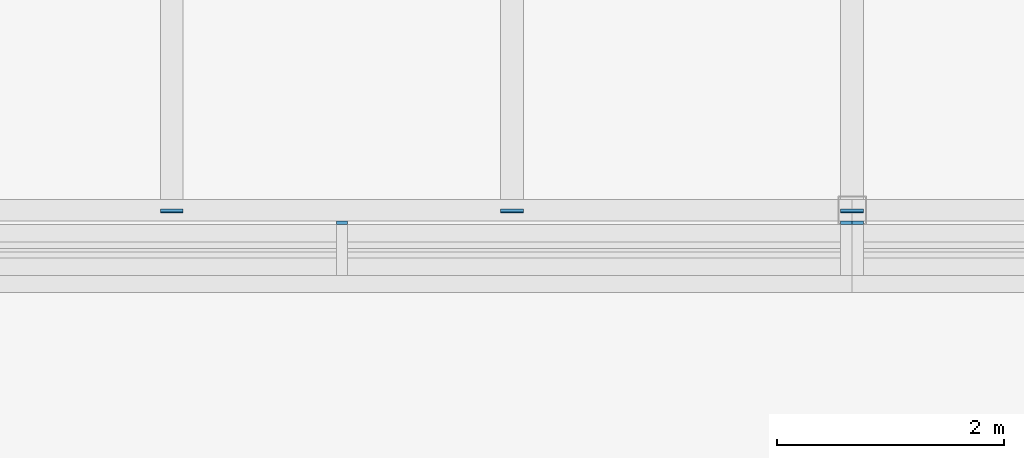
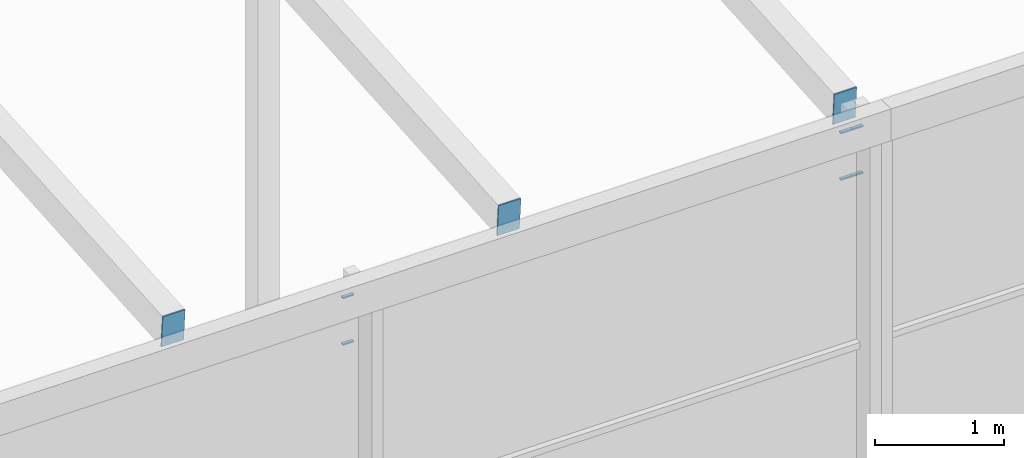
# One storey, part 60 of 84: 9 discrete accessories.
"""IFC4 building model written with IfcOpenShell, lengths in metres."""

from ifc_helpers import new_model, si_unit, direction, frame, origin, origin_2d, place, context, subcontext, project, spatial, rectangle, extrude, material, layer, layer_set, type_object, element, save


model = new_model("IFC4")

# Units and contexts
model_context = context("Model", 3, precision=1e-05, world=origin(), true_north=direction((0.0, 1.0)))
body_context = subcontext(model_context, "Body", "Model", "MODEL_VIEW")
ifc_project = project(units=[si_unit("LENGTHUNIT", "METRE"), si_unit("AREAUNIT", "SQUARE_METRE"), si_unit("VOLUMEUNIT", "CUBIC_METRE"), si_unit("PLANEANGLEUNIT", "RADIAN"), si_unit("MASSUNIT", "GRAM", prefix="KILO")], contexts=[model_context])

# Site, building, storey
site_placement = place(None, origin())
site = spatial("IfcSite", under=ifc_project, at=site_placement, CompositionType="ELEMENT")
building_placement = place(site_placement, origin())
building = spatial("IfcBuilding", under=site, at=building_placement, Name="Silverbay Arena", CompositionType="ELEMENT")
storey_placement = place(building_placement, frame((0.0, 0.0, 47.10009765625)))
storey = spatial("IfcBuildingStorey", under=building, at=storey_placement, Name="ROOF", CompositionType="ELEMENT", Elevation=47.10009765625)

# Discrete accessories
ifc_material_1 = material(Name="Steel S355", Category="steel")
ifc_layer = layer(ifc_material_1, 0.011962890625)
ifc_layer_set = layer_set([ifc_layer], Name="Steel S355")
discrete_accessory_type_1 = type_object("IfcDiscreteAccessoryType", Name="Purlin end plate 12", PredefinedType="USERDEFINED", material=ifc_layer_set)
for number, where, z_axis, x_axis, name in (
    (1, (93.0, 27.0, 8.74951171875), (0.0, -0.996684615823, -0.081362009455), (1.0, 0.0, 0.0), "Purlin end plate"),
    (2, (96.0, 27.0, 8.74951171875), (0.0, -0.996684615823, -0.081362009455), (1.0, 0.0, 0.0), "Purlin end plate"),
    (3, (99.0, 27.0, 8.74951171875), (0.0, -0.996684615823, -0.081362009455), (1.0, 0.0, 0.0), "Purlin end plate"),
):
    element("IfcDiscreteAccessory", number, at=place(storey_placement, frame(where, z_axis=z_axis, x_axis=x_axis)), inside=storey, type_object=discrete_accessory_type_1, Name=name, ObjectType="END PLATE", PredefinedType="USERDEFINED", context=body_context, shape_type="SweptSolid", body=[
        extrude(rectangle(XDim=0.199951171875, YDim=0.300048828125, at=origin_2d()), origin(), (0.0, 0.0, 1.0), 0.011962890625),
    ])
ifc_material_2 = material(Name="Steel S355", Category="steel")
discrete_accessory_type_2 = type_object("IfcDiscreteAccessoryType", Name="Steel bracket plate", PredefinedType="BRACKET", material=ifc_material_2)
for number, where, z_axis, x_axis, name in (
    (4, (94.5, 26.89013671875, 8.58642578125), (0.0, 0.0, 1.0), (1.0, 0.0, 0.0), "Curtain wall packing plate"),
    (5, (94.5, 26.89013671875, 8.145751953125), (0.0, 0.0, 1.0), (1.0, 0.0, 0.0), "Curtain wall packing plate"),
    (6, (98.949951171875, 26.89013671875, 8.58642578125), (0.0, 0.0, 1.0), (1.0, 0.0, 0.0), "Curtain wall packing plate"),
    (7, (98.949951171875, 26.89013671875, 8.145751953125), (0.0, 0.0, 1.0), (1.0, 0.0, 0.0), "Curtain wall packing plate"),
    (8, (99.050048828125, 26.89013671875, 8.58642578125), (0.0, 0.0, 1.0), (1.0, 0.0, 0.0), "Curtain wall packing plate"),
    (9, (99.050048828125, 26.89013671875, 8.145751953125), (0.0, 0.0, 1.0), (1.0, 0.0, 0.0), "Curtain wall packing plate"),
):
    element("IfcDiscreteAccessory", number, at=place(storey_placement, frame(where, z_axis=z_axis, x_axis=x_axis)), inside=storey, type_object=discrete_accessory_type_2, Name=name, PredefinedType="BRACKET", context=body_context, shape_type="SweptSolid", body=[
        extrude(rectangle(XDim=0.10009765625, YDim=0.030029296875, at=origin_2d()), origin(), (0.0, 0.0, 1.0), 0.0126953125),
    ])

save(model, "model.ifc")
